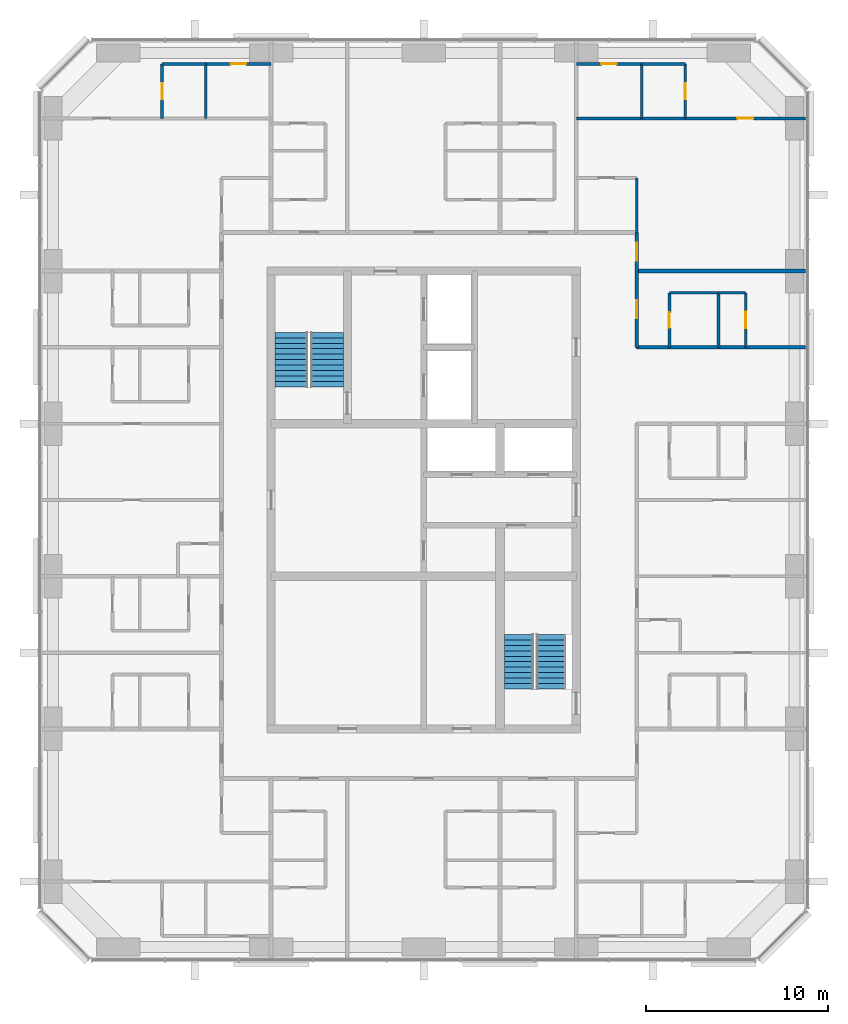
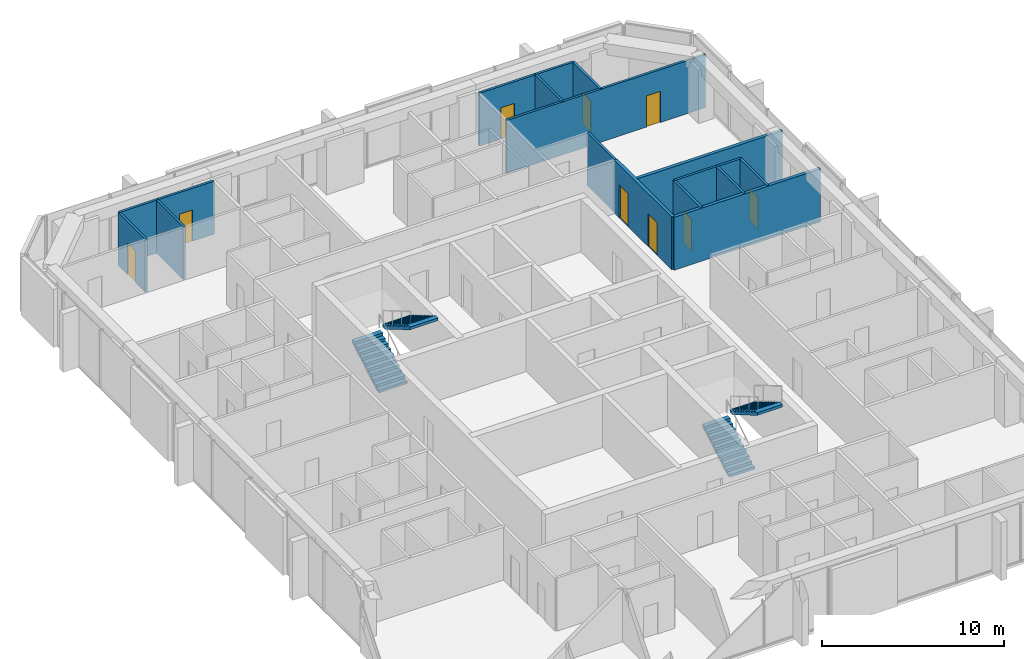
# One storey, part 11 of 12: 18 walls, 9 doors, 4 stair flights, 9 openings, 2 elements without a shape of their own.
"""IFC4 building model written with IfcOpenShell, lengths in metres."""

from ifc_helpers import new_model, si_unit, direction, frame, frame_2d, origin, place, context, subcontext, project, spatial, polyline, rectangle, outline, extrude, material, layer, layer_set, type_object, element, fill, aggregate, save


model = new_model("IFC4")

# Units and contexts
model_context = context("Model", 3, precision=1e-05, world=origin(), true_north=direction((0.0, 1.0)))
body_context = subcontext(model_context, "Body", "Model", "MODEL_VIEW")
ifc_project = project(units=[si_unit("LENGTHUNIT", "METRE"), si_unit("AREAUNIT", "SQUARE_METRE"), si_unit("VOLUMEUNIT", "CUBIC_METRE"), si_unit("PLANEANGLEUNIT", "RADIAN"), si_unit("MASSUNIT", "GRAM", prefix="KILO")], contexts=[model_context])

# Site, building, storey
site_placement = place(None, origin())
site = spatial("IfcSite", under=ifc_project, at=site_placement, CompositionType="ELEMENT")
building_placement = place(site_placement, origin())
building = spatial("IfcBuilding", under=site, at=building_placement, Name="Dunama Terrace Hotel", CompositionType="ELEMENT")
storey_placement = place(building_placement, frame((0.0, 0.0, 268.5)))
storey = spatial("IfcBuildingStorey", under=building, at=storey_placement, Name="L69", CompositionType="ELEMENT", Elevation=268.5)

# Wall
ifc_material_1 = material(Name="Gypsum board partition", Category="masonry")
ifc_layer_1 = layer(ifc_material_1, 0.14990234375)
ifc_layer_set_1 = layer_set([ifc_layer_1], Name="Bathroom partition 150")
wall_type_1 = type_object("IfcWallType", Name="Bathroom partition 150", PredefinedType="PARTITIONING", material=ifc_layer_set_1)
wall_1_placement = place(storey_placement, frame((45.324951171875, 44.125, 0.0), z_axis=(0.0, 0.0, 1.0), x_axis=(0.0, 1.0, 0.0)))
element("IfcWall", 1, at=wall_1_placement, inside=storey, type_object=wall_type_1, Name="Bathroom partition 150 L69", PredefinedType="PARTITIONING", context=body_context, shape_type="SweptSolid", body=[
    extrude(rectangle(XDim=3.0, YDim=0.14990234375, at=frame_2d((1.5, 0.0))), origin(), (0.0, 0.0, 1.0), 3.550048828125),
])

# Wall, opening, door
wall_2_placement = place(storey_placement, frame((47.125, 37.800048828125, 0.0), z_axis=(0.0, 0.0, 1.0), x_axis=(0.0, 1.0, 0.0)))
wall_2 = element("IfcWall", 2, at=wall_2_placement, inside=storey, type_object=wall_type_1, Name="Bathroom partition 150 L69", PredefinedType="PARTITIONING", context=body_context, shape_type="SweptSolid", body=[
    extrude(rectangle(XDim=3.0, YDim=0.14990234375, at=frame_2d((1.5, 0.0))), origin(), (0.0, 0.0, 1.0), 3.550048828125),
])
opening_1_placement = place(wall_2_placement, frame((1.074951171875, 0.0, 0.0)))
opening_1 = element("IfcOpeningElement", 3, at=opening_1_placement, cuts=wall_2, Name="Opening L68-70-026", PredefinedType="OPENING", context=body_context, shape_type="SweptSolid", body=[
    extrude(rectangle(XDim=0.85009765625, YDim=2.10009765625, at=frame_2d((0.425048828125, 1.050048828125))), frame((0.0, 0.0849609375, 0.0), z_axis=(0.0, -1.0, 0.0), x_axis=(1.0, 0.0, 0.0)), (0.0, 0.0, 1.0), 0.169921875),
])
ifc_material_2 = material(Name="Timber door with steel frame", Category="steel")
door_type_1 = type_object("IfcDoorType", Name="Bathroom door 850", OperationType="SINGLE_SWING_LEFT", PredefinedType="DOOR", material=ifc_material_2)
door_1_placement = place(opening_1_placement, frame((0.85009765625, 0.0, 0.0), z_axis=(0.0, 0.0, 1.0), x_axis=(-1.0, 0.0, 0.0)))
door_1 = element("IfcDoor", 4, at=door_1_placement, inside=storey, type_object=door_type_1, Name="Door to en-suite bathroom L68-70-026, type D2", OperationType="SINGLE_SWING_RIGHT", OverallHeight=2.10009765625, OverallWidth=0.85009765625, PredefinedType="DOOR", context=body_context, shape_type="SweptSolid", body=[
    extrude(rectangle(XDim=0.85009765625, YDim=2.10009765625, at=frame_2d((0.425048828125, 1.050048828125))), frame((0.0, 0.025146484375, 0.0), z_axis=(0.0, -1.0, 0.0), x_axis=(1.0, 0.0, 0.0)), (0.0, 0.0, 1.0), 0.050048828125),
])
fill(opening_1, door_1)

# Wall
wall_3_placement = place(storey_placement, frame((47.125, 40.800048828125, 0.0), z_axis=(0.0, 0.0, 1.0), x_axis=(1.0, 0.0, 0.0)))
element("IfcWall", 5, at=wall_3_placement, inside=storey, type_object=wall_type_1, Name="Bathroom partition 150 L69", PredefinedType="PARTITIONING", context=body_context, shape_type="SweptSolid", body=[
    extrude(rectangle(XDim=2.699951171875, YDim=0.14990234375, at=frame_2d((1.35009765625, 0.0))), origin(), (0.0, 0.0, 1.0), 3.550048828125),
])

# Wall, opening, door
wall_4_placement = place(storey_placement, frame((21.60009765625, 53.39990234375, 0.0), z_axis=(0.0, 0.0, 1.0), x_axis=(1.0, 0.0, 0.0)))
wall_4 = element("IfcWall", 6, at=wall_4_placement, inside=storey, type_object=wall_type_1, Name="Bathroom partition 150 L69", PredefinedType="PARTITIONING", context=body_context, shape_type="SweptSolid", body=[
    extrude(rectangle(XDim=3.599853515625, YDim=0.14990234375, at=frame_2d((1.7998046875, 0.0))), origin(), (0.0, 0.0, 1.0), 3.550048828125),
])
opening_2_placement = place(wall_4_placement, frame((1.375, 0.0, 0.0)))
opening_2 = element("IfcOpeningElement", 7, at=opening_2_placement, cuts=wall_4, Name="Opening L68-70-070", PredefinedType="OPENING", context=body_context, shape_type="SweptSolid", body=[
    extrude(rectangle(XDim=0.85009765625, YDim=2.10009765625, at=frame_2d((0.425048828125, 1.050048828125))), frame((0.0, 0.0849609375, 0.0), z_axis=(0.0, -1.0, 0.0), x_axis=(1.0, 0.0, 0.0)), (0.0, 0.0, 1.0), 0.169921875),
])
door_2_placement = place(opening_2_placement, frame((0.85009765625, 0.0, 0.0), z_axis=(0.0, 0.0, 1.0), x_axis=(-1.0, 0.0, 0.0)))
door_2 = element("IfcDoor", 8, at=door_2_placement, inside=storey, type_object=door_type_1, Name="Door to en-suite bathroom L68-70-070, type D2", OperationType="SINGLE_SWING_LEFT", OverallHeight=2.10009765625, OverallWidth=0.85009765625, PredefinedType="DOOR", context=body_context, shape_type="SweptSolid", body=[
    extrude(rectangle(XDim=0.85009765625, YDim=2.10009765625, at=frame_2d((0.425048828125, 1.050048828125))), frame((0.0, 0.025146484375, 0.0), z_axis=(0.0, -1.0, 0.0), x_axis=(1.0, 0.0, 0.0)), (0.0, 0.0, 1.0), 0.050048828125),
])
fill(opening_2, door_2)

wall_5_placement = place(storey_placement, frame((42.0, 53.39990234375, 0.0), z_axis=(0.0, 0.0, 1.0), x_axis=(1.0, 0.0, 0.0)))
wall_5 = element("IfcWall", 9, at=wall_5_placement, inside=storey, type_object=wall_type_1, Name="Bathroom partition 150 L69", PredefinedType="PARTITIONING", context=body_context, shape_type="SweptSolid", body=[
    extrude(rectangle(XDim=3.60009765625, YDim=0.14990234375, at=frame_2d((1.800048828125, 0.0))), origin(), (0.0, 0.0, 1.0), 3.550048828125),
])
opening_3_placement = place(wall_5_placement, frame((1.375, 0.0, 0.0)))
opening_3 = element("IfcOpeningElement", 10, at=opening_3_placement, cuts=wall_5, Name="Opening L68-70-065", PredefinedType="OPENING", context=body_context, shape_type="SweptSolid", body=[
    extrude(rectangle(XDim=0.85009765625, YDim=2.10009765625, at=frame_2d((0.425048828125, 1.050048828125))), frame((0.0, 0.0849609375, 0.0), z_axis=(0.0, -1.0, 0.0), x_axis=(1.0, 0.0, 0.0)), (0.0, 0.0, 1.0), 0.169921875),
])
door_3_placement = place(opening_3_placement, frame((0.85009765625, 0.0, 0.0), z_axis=(0.0, 0.0, 1.0), x_axis=(-1.0, 0.0, 0.0)))
door_3 = element("IfcDoor", 11, at=door_3_placement, inside=storey, type_object=door_type_1, Name="Door to en-suite bathroom L68-70-065, type D2", OperationType="SINGLE_SWING_RIGHT", OverallHeight=2.10009765625, OverallWidth=0.85009765625, PredefinedType="DOOR", context=body_context, shape_type="SweptSolid", body=[
    extrude(rectangle(XDim=0.85009765625, YDim=2.10009765625, at=frame_2d((0.425048828125, 1.050048828125))), frame((0.0, 0.025146484375, 0.0), z_axis=(0.0, -1.0, 0.0), x_axis=(1.0, 0.0, 0.0)), (0.0, 0.0, 1.0), 0.050048828125),
])
fill(opening_3, door_3)

# Wall
ifc_material_3 = material(Name="Concrete blockwork", Category="masonry")
ifc_layer_2 = layer(ifc_material_3, 0.199951171875)
ifc_layer_set_2 = layer_set([ifc_layer_2], Name="Corridor partition 200")
wall_type_2 = type_object("IfcWallType", Name="Corridor partition 200", PredefinedType="PARTITIONING", material=ifc_layer_set_2)
wall_6_placement = place(storey_placement, frame((45.324951171875, 37.800048828125, 0.0), z_axis=(0.0, 0.0, 1.0), x_axis=(1.0, 0.0, 0.0)))
element("IfcWall", 12, at=wall_6_placement, inside=storey, type_object=wall_type_2, Name="Corridor partition 200 L69", PredefinedType="PARTITIONING", context=body_context, shape_type="SweptSolid", body=[
    extrude(rectangle(XDim=9.29296875, YDim=0.199951171875, at=frame_2d((4.646484375, 0.0))), origin(), (0.0, 0.0, 1.0), 3.550048828125),
])

# Wall, openings, doors
wall_7_placement = place(storey_placement, frame((45.324951171875, 44.125, 0.0), z_axis=(0.0, 0.0, 1.0), x_axis=(0.0, -1.0, 0.0)))
wall_7 = element("IfcWall", 13, at=wall_7_placement, inside=storey, type_object=wall_type_2, Name="Corridor partition 200 L69", PredefinedType="PARTITIONING", context=body_context, shape_type="SweptSolid", body=[
    extrude(rectangle(XDim=6.324951171875, YDim=0.199951171875, at=frame_2d((3.16259765625, 0.0))), origin(), (0.0, 0.0, 1.0), 3.550048828125),
])
opening_4_placement = place(wall_7_placement, frame((3.72509765625, 0.0, 0.0)))
opening_4 = element("IfcOpeningElement", 14, at=opening_4_placement, cuts=wall_7, Name="Opening L68-70-025", PredefinedType="OPENING", context=body_context, shape_type="SweptSolid", body=[
    extrude(rectangle(XDim=1.0, YDim=2.199951171875, at=frame_2d((0.5, 1.10009765625))), frame((0.0, 0.10986328125, 0.0), z_axis=(0.0, -1.0, 0.0), x_axis=(1.0, 0.0, 0.0)), (0.0, 0.0, 1.0), 0.219970703125),
])
opening_5_placement = place(wall_7_placement, frame((0.56298828125, 0.0, 0.0)))
opening_5 = element("IfcOpeningElement", 15, at=opening_5_placement, cuts=wall_7, Name="Opening L68-70-062", PredefinedType="OPENING", context=body_context, shape_type="SweptSolid", body=[
    extrude(rectangle(XDim=1.0, YDim=2.199951171875, at=frame_2d((0.5, 1.10009765625))), frame((0.0, 0.10986328125, 0.0), z_axis=(0.0, -1.0, 0.0), x_axis=(1.0, 0.0, 0.0)), (0.0, 0.0, 1.0), 0.219970703125),
])
ifc_material_4 = material(Name="Timber door with steel frame", Category="steel")
door_type_2 = type_object("IfcDoorType", Name="Guest room door 1000", OperationType="SINGLE_SWING_LEFT", PredefinedType="DOOR", material=ifc_material_4)
door_4_placement = place(opening_4_placement, origin())
door_4 = element("IfcDoor", 16, at=door_4_placement, inside=storey, type_object=door_type_2, Name="Door to studio suite L68-70-025, type D1", OperationType="SINGLE_SWING_LEFT", OverallHeight=2.199951171875, OverallWidth=1.0, PredefinedType="DOOR", context=body_context, shape_type="SweptSolid", body=[
    extrude(rectangle(XDim=1.0, YDim=2.199951171875, at=frame_2d((0.5, 1.10009765625))), frame((0.0, 0.02490234375, 0.0), z_axis=(0.0, -1.0, 0.0), x_axis=(1.0, 0.0, 0.0)), (0.0, 0.0, 1.0), 0.050048828125),
])
fill(opening_4, door_4)
door_5_placement = place(opening_5_placement, origin())
door_5 = element("IfcDoor", 17, at=door_5_placement, inside=storey, type_object=door_type_2, Name="Door to grand corner suite living room L68-70-062, type D1", OperationType="SINGLE_SWING_RIGHT", OverallHeight=2.199951171875, OverallWidth=1.0, PredefinedType="DOOR", context=body_context, shape_type="SweptSolid", body=[
    extrude(rectangle(XDim=1.0, YDim=2.199951171875, at=frame_2d((0.5, 1.10009765625))), frame((0.0, 0.02490234375, 0.0), z_axis=(0.0, -1.0, 0.0), x_axis=(1.0, 0.0, 0.0)), (0.0, 0.0, 1.0), 0.050048828125),
])
fill(opening_5, door_5)

# Wall
ifc_material_5 = material(Name="Concrete blockwork", Category="masonry")
ifc_layer_3 = layer(ifc_material_5, 0.199951171875)
ifc_layer_set_3 = layer_set([ifc_layer_3], Name="Party wall 200")
wall_type_3 = type_object("IfcWallType", Name="Party wall 200", PredefinedType="PARTITIONING", material=ifc_layer_set_3)
wall_8_placement = place(storey_placement, frame((45.324951171875, 42.0, 0.0), z_axis=(0.0, 0.0, 1.0), x_axis=(1.0, 0.0, 0.0)))
element("IfcWall", 18, at=wall_8_placement, inside=storey, type_object=wall_type_3, Name="Party wall 200 L69", PredefinedType="PARTITIONING", context=body_context, shape_type="SweptSolid", body=[
    extrude(rectangle(XDim=9.29296875, YDim=0.199951171875, at=frame_2d((4.646484375, 0.0))), origin(), (0.0, 0.0, 1.0), 3.550048828125),
])

# Wall, opening, door
ifc_material_6 = material(Name="Gypsum board partition", Category="masonry")
ifc_layer_4 = layer(ifc_material_6, 0.14990234375)
ifc_layer_set_4 = layer_set([ifc_layer_4], Name="Room partition 150")
wall_type_4 = type_object("IfcWallType", Name="Room partition 150", PredefinedType="PARTITIONING", material=ifc_layer_set_4)
wall_9_placement = place(storey_placement, frame((19.199951171875, 50.39990234375, 0.0), z_axis=(0.0, 0.0, 1.0), x_axis=(0.0, 1.0, 0.0)))
wall_9 = element("IfcWall", 19, at=wall_9_placement, inside=storey, type_object=wall_type_4, Name="Room partition 150 L69", PredefinedType="PARTITIONING", context=body_context, shape_type="SweptSolid", body=[
    extrude(rectangle(XDim=3.0, YDim=0.14990234375, at=frame_2d((1.5, 0.0))), origin(), (0.0, 0.0, 1.0), 3.550048828125),
])
opening_6_placement = place(wall_9_placement, frame((1.050048828125, 0.0, 0.0)))
opening_6 = element("IfcOpeningElement", 20, at=opening_6_placement, cuts=wall_9, Name="Opening L68-70-071", PredefinedType="OPENING", context=body_context, shape_type="SweptSolid", body=[
    extrude(rectangle(XDim=0.89990234375, YDim=2.10009765625, at=frame_2d((0.449951171875, 1.050048828125))), frame((0.0, 0.0849609375, 0.0), z_axis=(0.0, -1.0, 0.0), x_axis=(1.0, 0.0, 0.0)), (0.0, 0.0, 1.0), 0.169921875),
])
ifc_material_7 = material(Name="Timber door with steel frame", Category="steel")
door_type_3 = type_object("IfcDoorType", Name="Suite internal door 900", OperationType="SINGLE_SWING_LEFT", PredefinedType="DOOR", material=ifc_material_7)
door_6_placement = place(opening_6_placement, frame((0.89990234375, 0.0, 0.0), z_axis=(0.0, 0.0, 1.0), x_axis=(-1.0, 0.0, 0.0)))
door_6 = element("IfcDoor", 21, at=door_6_placement, inside=storey, type_object=door_type_3, Name="Door to dressing room L68-70-071, type D16", OperationType="SINGLE_SWING_RIGHT", OverallHeight=2.10009765625, OverallWidth=0.89990234375, PredefinedType="DOOR", context=body_context, shape_type="SweptSolid", body=[
    extrude(rectangle(XDim=0.89990234375, YDim=2.10009765625, at=frame_2d((0.449951171875, 1.050048828125))), frame((0.0, 0.025146484375, 0.0), z_axis=(0.0, -1.0, 0.0), x_axis=(1.0, 0.0, 0.0)), (0.0, 0.0, 1.0), 0.050048828125),
])
fill(opening_6, door_6)

# Walls
for number, where, z_axis, x_axis, name in (
    (22, (21.60009765625, 50.39990234375, 0.0), (0.0, 0.0, 1.0), (0.0, 1.0, 0.0), "Room partition 150 L69"),
    (23, (45.60009765625, 50.39990234375, 0.0), (0.0, 0.0, 1.0), (0.0, 1.0, 0.0), "Room partition 150 L69"),
):
    element("IfcWall", number, at=place(storey_placement, frame(where, z_axis=z_axis, x_axis=x_axis)), inside=storey, type_object=wall_type_4, Name=name, PredefinedType="PARTITIONING", context=body_context, shape_type="SweptSolid", body=[
        extrude(rectangle(XDim=3.0, YDim=0.14990234375, at=frame_2d((1.5, 0.0))), origin(), (0.0, 0.0, 1.0), 3.550048828125),
    ])

# Wall, opening, door
wall_10_placement = place(storey_placement, frame((48.0, 50.39990234375, 0.0), z_axis=(0.0, 0.0, 1.0), x_axis=(0.0, 1.0, 0.0)))
wall_10 = element("IfcWall", 24, at=wall_10_placement, inside=storey, type_object=wall_type_4, Name="Room partition 150 L69", PredefinedType="PARTITIONING", context=body_context, shape_type="SweptSolid", body=[
    extrude(rectangle(XDim=3.0, YDim=0.14990234375, at=frame_2d((1.5, 0.0))), origin(), (0.0, 0.0, 1.0), 3.550048828125),
])
opening_7_placement = place(wall_10_placement, frame((1.050048828125, 0.0, 0.0)))
opening_7 = element("IfcOpeningElement", 25, at=opening_7_placement, cuts=wall_10, Name="Opening L68-70-066", PredefinedType="OPENING", context=body_context, shape_type="SweptSolid", body=[
    extrude(rectangle(XDim=0.89990234375, YDim=2.10009765625, at=frame_2d((0.449951171875, 1.050048828125))), frame((0.0, 0.0849609375, 0.0), z_axis=(0.0, -1.0, 0.0), x_axis=(1.0, 0.0, 0.0)), (0.0, 0.0, 1.0), 0.169921875),
])
door_7_placement = place(opening_7_placement, origin())
door_7 = element("IfcDoor", 26, at=door_7_placement, inside=storey, type_object=door_type_3, Name="Door to dressing room L68-70-066, type D16", OperationType="SINGLE_SWING_LEFT", OverallHeight=2.10009765625, OverallWidth=0.89990234375, PredefinedType="DOOR", context=body_context, shape_type="SweptSolid", body=[
    extrude(rectangle(XDim=0.89990234375, YDim=2.10009765625, at=frame_2d((0.449951171875, 1.050048828125))), frame((0.0, 0.02490234375, 0.0), z_axis=(0.0, -1.0, 0.0), x_axis=(1.0, 0.0, 0.0)), (0.0, 0.0, 1.0), 0.050048828125),
])
fill(opening_7, door_7)

# Wall
wall_11_placement = place(storey_placement, frame((49.824951171875, 37.800048828125, 0.0), z_axis=(0.0, 0.0, 1.0), x_axis=(0.0, 1.0, 0.0)))
element("IfcWall", 27, at=wall_11_placement, inside=storey, type_object=wall_type_4, Name="Room partition 150 L69", PredefinedType="PARTITIONING", context=body_context, shape_type="SweptSolid", body=[
    extrude(rectangle(XDim=3.0, YDim=0.14990234375, at=frame_2d((1.5, 0.0))), origin(), (0.0, 0.0, 1.0), 3.550048828125),
])

# Wall, opening, door
wall_12_placement = place(storey_placement, frame((51.324951171875, 37.800048828125, 0.0), z_axis=(0.0, 0.0, 1.0), x_axis=(0.0, 1.0, 0.0)))
wall_12 = element("IfcWall", 28, at=wall_12_placement, inside=storey, type_object=wall_type_4, Name="Room partition 150 L69", PredefinedType="PARTITIONING", context=body_context, shape_type="SweptSolid", body=[
    extrude(rectangle(XDim=3.0, YDim=0.14990234375, at=frame_2d((1.5, 0.0))), origin(), (0.0, 0.0, 1.0), 3.550048828125),
])
opening_8_placement = place(wall_12_placement, frame((1.050048828125, 0.0, 0.0)))
opening_8 = element("IfcOpeningElement", 29, at=opening_8_placement, cuts=wall_12, Name="Opening L68-70-027", PredefinedType="OPENING", context=body_context, shape_type="SweptSolid", body=[
    extrude(rectangle(XDim=0.89990234375, YDim=2.10009765625, at=frame_2d((0.449951171875, 1.050048828125))), frame((0.0, 0.0849609375, 0.0), z_axis=(0.0, -1.0, 0.0), x_axis=(1.0, 0.0, 0.0)), (0.0, 0.0, 1.0), 0.169921875),
])
door_8_placement = place(opening_8_placement, origin())
door_8 = element("IfcDoor", 30, at=door_8_placement, inside=storey, type_object=door_type_3, Name="Door to walk-in wardrobe L68-70-027, type D16", OperationType="SINGLE_SWING_LEFT", OverallHeight=2.10009765625, OverallWidth=0.89990234375, PredefinedType="DOOR", context=body_context, shape_type="SweptSolid", body=[
    extrude(rectangle(XDim=0.89990234375, YDim=2.10009765625, at=frame_2d((0.449951171875, 1.050048828125))), frame((0.0, 0.02490234375, 0.0), z_axis=(0.0, -1.0, 0.0), x_axis=(1.0, 0.0, 0.0)), (0.0, 0.0, 1.0), 0.050048828125),
])
fill(opening_8, door_8)

# Wall
wall_13_placement = place(storey_placement, frame((49.824951171875, 40.800048828125, 0.0), z_axis=(0.0, 0.0, 1.0), x_axis=(1.0, 0.0, 0.0)))
element("IfcWall", 31, at=wall_13_placement, inside=storey, type_object=wall_type_4, Name="Room partition 150 L69", PredefinedType="PARTITIONING", context=body_context, shape_type="SweptSolid", body=[
    extrude(rectangle(XDim=1.5, YDim=0.14990234375, at=frame_2d((0.75, 0.0))), origin(), (0.0, 0.0, 1.0), 3.550048828125),
])

# Wall, opening, door
wall_14_placement = place(storey_placement, frame((42.0, 50.39990234375, 0.0), z_axis=(0.0, 0.0, 1.0), x_axis=(1.0, 0.0, 0.0)))
wall_14 = element("IfcWall", 32, at=wall_14_placement, inside=storey, type_object=wall_type_4, Name="Room partition 150 L69", PredefinedType="PARTITIONING", context=body_context, shape_type="SweptSolid", body=[
    extrude(rectangle(XDim=12.617919921875, YDim=0.14990234375, at=frame_2d((6.30908203125, 0.0))), origin(), (0.0, 0.0, 1.0), 3.550048828125),
])
opening_9_placement = place(wall_14_placement, frame((8.85009765625, 0.0, 0.0)))
opening_9 = element("IfcOpeningElement", 33, at=opening_9_placement, cuts=wall_14, Name="Opening L68-70-064", PredefinedType="OPENING", context=body_context, shape_type="SweptSolid", body=[
    extrude(rectangle(XDim=0.89990234375, YDim=2.10009765625, at=frame_2d((0.449951171875, 1.050048828125))), frame((0.0, 0.0849609375, 0.0), z_axis=(0.0, -1.0, 0.0), x_axis=(1.0, 0.0, 0.0)), (0.0, 0.0, 1.0), 0.169921875),
])
door_9_placement = place(opening_9_placement, origin())
door_9 = element("IfcDoor", 34, at=door_9_placement, inside=storey, type_object=door_type_3, Name="Door to grand corner suite bedroom L68-70-064, type D16", OperationType="SINGLE_SWING_RIGHT", OverallHeight=2.10009765625, OverallWidth=0.89990234375, PredefinedType="DOOR", context=body_context, shape_type="SweptSolid", body=[
    extrude(rectangle(XDim=0.89990234375, YDim=2.10009765625, at=frame_2d((0.449951171875, 1.050048828125))), frame((0.0, 0.02490234375, 0.0), z_axis=(0.0, -1.0, 0.0), x_axis=(1.0, 0.0, 0.0)), (0.0, 0.0, 1.0), 0.050048828125),
])
fill(opening_9, door_9)

# Walls
wall_15_placement = place(storey_placement, frame((19.199951171875, 53.39990234375, 0.0), z_axis=(0.0, 0.0, 1.0), x_axis=(1.0, 0.0, 0.0)))
element("IfcWall", 35, at=wall_15_placement, inside=storey, type_object=wall_type_4, Name="Room partition 150 L69", PredefinedType="PARTITIONING", context=body_context, shape_type="SweptSolid", body=[
    extrude(rectangle(XDim=2.400146484375, YDim=0.14990234375, at=frame_2d((1.2001953125, 0.0))), origin(), (0.0, 0.0, 1.0), 3.550048828125),
])
wall_16_placement = place(storey_placement, frame((45.60009765625, 53.39990234375, 0.0), z_axis=(0.0, 0.0, 1.0), x_axis=(1.0, 0.0, 0.0)))
element("IfcWall", 36, at=wall_16_placement, inside=storey, type_object=wall_type_4, Name="Room partition 150 L69", PredefinedType="PARTITIONING", context=body_context, shape_type="SweptSolid", body=[
    extrude(rectangle(XDim=2.39990234375, YDim=0.14990234375, at=frame_2d((1.199951171875, 0.0))), origin(), (0.0, 0.0, 1.0), 3.550048828125),
])

# Stair, stair flights
ifc_material_8 = material(Name="Concrete C40/50", Category="concrete")
stair_type_1 = type_object("IfcStairType", Name="Stair ST1-3900-1800", PredefinedType="HALF_TURN_STAIR", material=ifc_material_8)
stair_1_placement = place(storey_placement, origin())
stair_1 = element("IfcStair", 37, at=stair_1_placement, inside=storey, type_object=stair_type_1, Name="Stair ST1 L69", PredefinedType="HALF_TURN_STAIR")
ifc_material_9 = material(Name="Concrete C40/50", Category="concrete")
stair_flight_type_1 = type_object("IfcStairFlightType", Name="Stair flight ST1-3900-1800", PredefinedType="STRAIGHT", material=ifc_material_9)
stair_flight_1_placement = place(storey_placement, frame((26.324951171875, 35.625, 0.0), z_axis=(0.0, 0.0, 1.0), x_axis=(0.0, 1.0, 0.0)))
stair_flight_1 = element("IfcStairFlight", 38, at=stair_flight_1_placement, type_object=stair_flight_type_1, Name="ST1 flight 1", NumberOfRisers=11, NumberOfTreads=10, PredefinedType="STRAIGHT", RiserHeight=0.177272727, TreadLength=0.3, context=body_context, shape_type="SweptSolid", body=[
    extrude(outline(polyline([(0.0, 0.0), (0.0, 0.17724609375), (0.300048828125, 0.17724609375), (0.300048828125, 0.3544921875), (0.60009765625, 0.3544921875), (0.60009765625, 0.53173828125), (0.89990234375, 0.53173828125), (0.89990234375, 0.708984375), (1.199951171875, 0.708984375), (1.199951171875, 0.886474609375), (1.5, 0.886474609375), (1.5, 1.063720703125), (1.800048828125, 1.063720703125), (1.800048828125, 1.240966796875), (2.10009765625, 1.240966796875), (2.10009765625, 1.418212890625), (2.39990234375, 1.418212890625), (2.39990234375, 1.595458984375), (2.699951171875, 1.595458984375), (2.699951171875, 1.772705078125), (3.0, 1.772705078125), (3.0, 1.949951171875), (3.0, 1.5986328125), (0.294677734375, 0.0), (0.0, 0.0)])), frame((0.0, 0.89990234375, 0.0), z_axis=(0.0, -1.0, 0.0), x_axis=(1.0, 0.0, 0.0)), (0.0, 0.0, 1.0), 1.800048828125),
])
stair_flight_2_placement = place(storey_placement, frame((28.27490234375, 38.625, 1.949951171875), z_axis=(0.0, 0.0, 1.0), x_axis=(0.0, -1.0, 0.0)))
stair_flight_2 = element("IfcStairFlight", 39, at=stair_flight_2_placement, type_object=stair_flight_type_1, Name="ST1 flight 2", NumberOfRisers=11, NumberOfTreads=10, PredefinedType="STRAIGHT", RiserHeight=0.177272727, TreadLength=0.3, context=body_context, shape_type="SweptSolid", body=[
    extrude(outline(polyline([(0.0, 0.0), (0.0, 0.17724609375), (0.300048828125, 0.17724609375), (0.300048828125, 0.3544921875), (0.60009765625, 0.3544921875), (0.60009765625, 0.53173828125), (0.89990234375, 0.53173828125), (0.89990234375, 0.708984375), (1.199951171875, 0.708984375), (1.199951171875, 0.886474609375), (1.5, 0.886474609375), (1.5, 1.063720703125), (1.800048828125, 1.063720703125), (1.800048828125, 1.240966796875), (2.10009765625, 1.240966796875), (2.10009765625, 1.418212890625), (2.39990234375, 1.418212890625), (2.39990234375, 1.595458984375), (2.699951171875, 1.595458984375), (2.699951171875, 1.772705078125), (3.0, 1.772705078125), (3.0, 1.949951171875), (3.0, 1.5986328125), (0.294677734375, 0.0), (0.0, 0.0)])), frame((0.0, 0.89990234375, 0.0), z_axis=(0.0, -1.0, 0.0), x_axis=(1.0, 0.0, 0.0)), (0.0, 0.0, 1.0), 1.800048828125),
])
aggregate(stair_1, [stair_flight_1, stair_flight_2])

ifc_material_10 = material(Name="Concrete C40/50", Category="concrete")
stair_type_2 = type_object("IfcStairType", Name="Stair ST2-3900-1600", PredefinedType="HALF_TURN_STAIR", material=ifc_material_10)
stair_2_placement = place(storey_placement, origin())
stair_2 = element("IfcStair", 40, at=stair_2_placement, inside=storey, type_object=stair_type_2, Name="Stair ST2 L69", PredefinedType="HALF_TURN_STAIR")
ifc_material_11 = material(Name="Concrete C40/50", Category="concrete")
stair_flight_type_2 = type_object("IfcStairFlightType", Name="Stair flight ST2-3900-1600", PredefinedType="STRAIGHT", material=ifc_material_11)
stair_flight_3_placement = place(storey_placement, frame((38.85009765625, 19.0, 0.0), z_axis=(0.0, 0.0, 1.0), x_axis=(0.0, 1.0, 0.0)))
stair_flight_3 = element("IfcStairFlight", 41, at=stair_flight_3_placement, type_object=stair_flight_type_2, Name="ST2 flight 1", NumberOfRisers=11, NumberOfTreads=10, PredefinedType="STRAIGHT", RiserHeight=0.177272727, TreadLength=0.3, context=body_context, shape_type="SweptSolid", body=[
    extrude(outline(polyline([(0.0, 0.0), (0.0, 0.17724609375), (0.300048828125, 0.17724609375), (0.300048828125, 0.3544921875), (0.60009765625, 0.3544921875), (0.60009765625, 0.53173828125), (0.89990234375, 0.53173828125), (0.89990234375, 0.708984375), (1.199951171875, 0.708984375), (1.199951171875, 0.886474609375), (1.5, 0.886474609375), (1.5, 1.063720703125), (1.800048828125, 1.063720703125), (1.800048828125, 1.240966796875), (2.10009765625, 1.240966796875), (2.10009765625, 1.418212890625), (2.39990234375, 1.418212890625), (2.39990234375, 1.595458984375), (2.699951171875, 1.595458984375), (2.699951171875, 1.772705078125), (3.0, 1.772705078125), (3.0, 1.949951171875), (3.0, 1.5986328125), (0.294677734375, 0.0), (0.0, 0.0)])), frame((0.0, 0.800048828125, 0.0), z_axis=(0.0, -1.0, 0.0), x_axis=(1.0, 0.0, 0.0)), (0.0, 0.0, 1.0), 1.60009765625),
])
stair_flight_4_placement = place(storey_placement, frame((40.60009765625, 22.0, 1.949951171875), z_axis=(0.0, 0.0, 1.0), x_axis=(0.0, -1.0, 0.0)))
stair_flight_4 = element("IfcStairFlight", 42, at=stair_flight_4_placement, type_object=stair_flight_type_2, Name="ST2 flight 2", NumberOfRisers=11, NumberOfTreads=10, PredefinedType="STRAIGHT", RiserHeight=0.177272727, TreadLength=0.3, context=body_context, shape_type="SweptSolid", body=[
    extrude(outline(polyline([(0.0, 0.0), (0.0, 0.17724609375), (0.300048828125, 0.17724609375), (0.300048828125, 0.3544921875), (0.60009765625, 0.3544921875), (0.60009765625, 0.53173828125), (0.89990234375, 0.53173828125), (0.89990234375, 0.708984375), (1.199951171875, 0.708984375), (1.199951171875, 0.886474609375), (1.5, 0.886474609375), (1.5, 1.063720703125), (1.800048828125, 1.063720703125), (1.800048828125, 1.240966796875), (2.10009765625, 1.240966796875), (2.10009765625, 1.418212890625), (2.39990234375, 1.418212890625), (2.39990234375, 1.595458984375), (2.699951171875, 1.595458984375), (2.699951171875, 1.772705078125), (3.0, 1.772705078125), (3.0, 1.949951171875), (3.0, 1.5986328125), (0.294677734375, 0.0), (0.0, 0.0)])), frame((0.0, 0.800048828125, 0.0), z_axis=(0.0, -1.0, 0.0), x_axis=(1.0, 0.0, 0.0)), (0.0, 0.0, 1.0), 1.60009765625),
])
aggregate(stair_2, [stair_flight_3, stair_flight_4])

save(model, "model.ifc")
